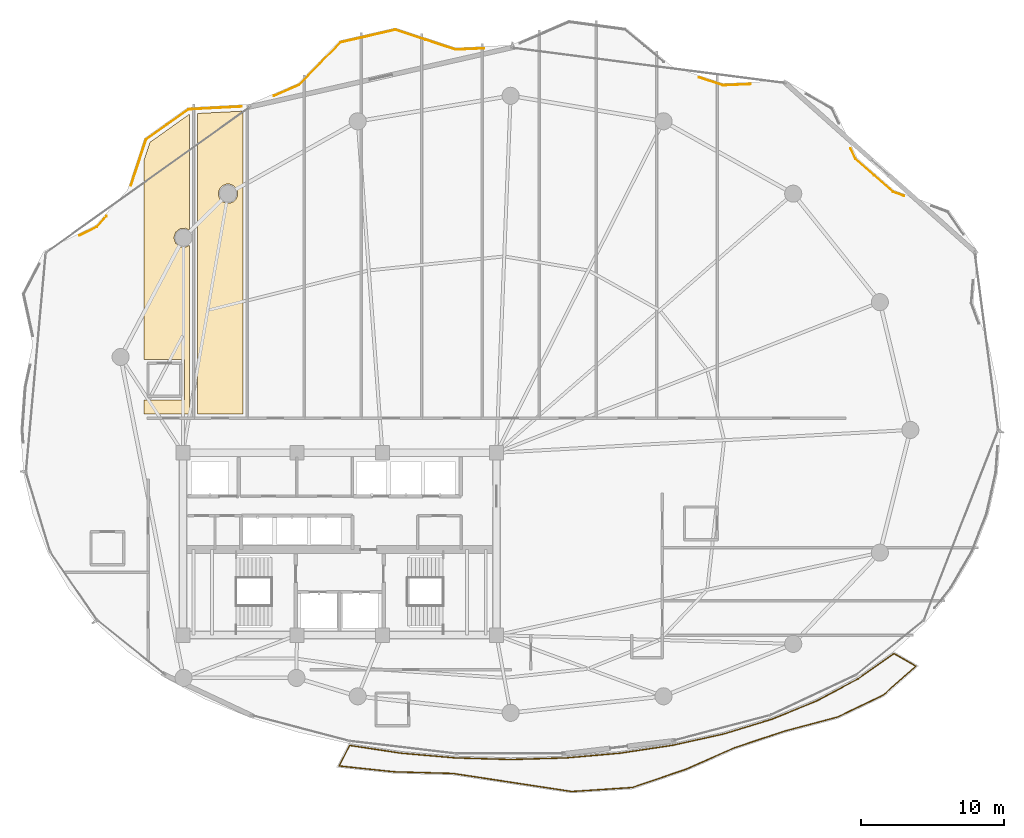
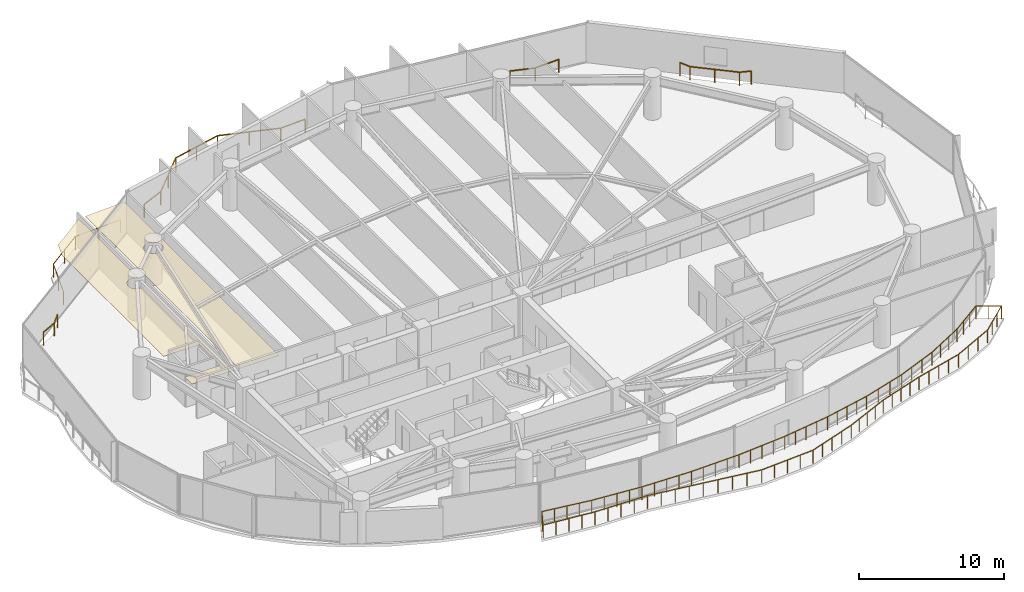
# One storey, part 32 of 33: 6 railings, 2 coverings.
"""IFC4 building model written with IfcOpenShell, lengths in metres."""

from ifc_helpers import new_model, si_unit, direction, frame, origin, origin_2d, place, context, subcontext, project, spatial, polyline, rectangle, outline, extrude, material, layer, layer_set, type_object, element, save


model = new_model("IFC4")

# Units and contexts
model_context = context("Model", 3, precision=1e-05, world=origin(), true_north=direction((0.0, 1.0)))
body_context = subcontext(model_context, "Body", "Model", "MODEL_VIEW")
ifc_project = project(units=[si_unit("LENGTHUNIT", "METRE"), si_unit("AREAUNIT", "SQUARE_METRE"), si_unit("VOLUMEUNIT", "CUBIC_METRE"), si_unit("PLANEANGLEUNIT", "RADIAN"), si_unit("MASSUNIT", "GRAM", prefix="KILO")], contexts=[model_context])

# Site, building, storey
site_placement = place(None, origin())
site = spatial("IfcSite", under=ifc_project, at=site_placement, CompositionType="ELEMENT")
building_placement = place(site_placement, origin())
building = spatial("IfcBuilding", under=site, at=building_placement, Name="Kazevale Care Tower and Concert Hall", CompositionType="ELEMENT")
storey_placement = place(building_placement, frame((0.0, 0.0, 145.800048828125)))
storey = spatial("IfcBuildingStorey", under=building, at=storey_placement, Name="L38", CompositionType="ELEMENT", Elevation=145.800048828125)

# Coverings
ifc_material_1 = material(Name="Acoustic Plaster and Hinoki Wood", Category="wood")
ifc_layer = layer(ifc_material_1, 0.0400390625)
ifc_layer_set = layer_set([ifc_layer], Name="Acoustic Plaster and Hinoki Wood")
covering_type = type_object("IfcCoveringType", Name="Acoustic Perforated Wood-Gypsum Ceiling", PredefinedType="CEILING", material=ifc_layer_set)
covering_1_placement = place(storey_placement, frame((0.0, 0.0, 2.7099609375)))
element("IfcCovering", 1, at=covering_1_placement, inside=storey, type_object=covering_type, Name="clg:L38:1", PredefinedType="CEILING", context=body_context, shape_type="SweptSolid", body=[
    extrude(outline(polyline([(22.1298828125, 40.094970703125), (22.1298828125, 42.955078125), (19.280029296875, 42.955078125), (19.280029296875, 56.943115234375), (19.68701171875, 58.18408203125), (22.469970703125, 60.1650390625), (22.469970703125, 52.02099609375), (22.18310546875, 52.156982421875), (21.7900390625, 52.117919921875), (21.485107421875, 51.867919921875), (21.3701171875, 51.489990234375), (21.485107421875, 51.112060546875), (21.7900390625, 50.862060546875), (22.18310546875, 50.822998046875), (22.469970703125, 50.958984375), (22.469970703125, 39.10498046875), (19.280029296875, 39.10498046875), (19.280029296875, 40.094970703125), (22.1298828125, 40.094970703125)])), origin(), (0.0, 0.0, 1.0), 0.0400390625),
])
covering_2_placement = place(storey_placement, frame((0.0, 0.0, 2.7099609375)))
element("IfcCovering", 2, at=covering_2_placement, inside=storey, type_object=covering_type, Name="clg:L38:2", PredefinedType="CEILING", context=body_context, shape_type="SweptSolid", body=[
    extrude(outline(polyline([(23.030029296875, 60.2099609375), (26.219970703125, 60.3759765625), (26.219970703125, 39.10498046875), (23.030029296875, 39.10498046875), (23.030029296875, 60.2099609375)]), holes=[polyline([(25.8369140625, 54.712890625), (25.735107421875, 54.9580078125), (25.548095703125, 55.14501953125), (25.302978515625, 55.2470703125), (25.037109375, 55.2470703125), (24.7919921875, 55.14501953125), (24.60498046875, 54.9580078125), (24.5029296875, 54.712890625), (24.5029296875, 54.447021484375), (24.60498046875, 54.201904296875), (24.7919921875, 54.014892578125), (25.037109375, 53.9130859375), (25.302978515625, 53.9130859375), (25.548095703125, 54.014892578125), (25.735107421875, 54.201904296875), (25.8369140625, 54.447021484375), (25.8369140625, 54.712890625)])]), origin(), (0.0, 0.0, 1.0), 0.0400390625),
])

# Railings
ifc_material_2 = material(Name="Anodised Bronze Aluminium and Laminated Glass", Category="aluminium")
railing_type = type_object("IfcRailingType", Name="Balcony and Terrace Balustrade 1120", PredefinedType="BALUSTRADE", material=ifc_material_2)
railing_1_placement = place(storey_placement, frame((14.743896484375, 51.64599609375, 0.0)))
element("IfcRailing", 3, at=railing_1_placement, inside=storey, type_object=railing_type, Name="rail:L38:perim:3", PredefinedType="BALUSTRADE", context=body_context, shape_type="SweptSolid", body=[
    extrude(rectangle(XDim=0.048095703125, YDim=0.048095703125, at=origin_2d()), frame((0.0, 0.0, 1.09619140625), z_axis=(0.895181342234, 0.445702102885, 0.0), x_axis=(-0.445702102885, 0.895181342234, 0.0)), (0.0, 0.0, 1.0), 1.357421875),
    extrude(rectangle(XDim=0.048095703125, YDim=0.048095703125, at=origin_2d()), frame((1.215087890625, 0.60498046875, 1.09619140625), z_axis=(0.670216930837, 0.742165254926, 0.0), x_axis=(-0.742165254926, 0.670216930837, 0.0)), (0.0, 0.0, 1.0), 1.0009765625),
    extrude(rectangle(XDim=0.0419921875, YDim=0.0419921875, at=origin_2d()), origin(), (0.0, 0.0, 1.0), 1.072021484375),
    extrude(rectangle(XDim=0.0419921875, YDim=0.0419921875, at=origin_2d()), frame((1.215087890625, 0.60498046875, 0.0)), (0.0, 0.0, 1.0), 1.072021484375),
    extrude(rectangle(XDim=0.0419921875, YDim=0.0419921875, at=origin_2d()), frame((1.885986328125, 1.347900390625, 0.0)), (0.0, 0.0, 1.0), 1.072021484375),
])
railing_2_placement = place(storey_placement, frame((18.361083984375, 55.1640625, 0.0)))
element("IfcRailing", 4, at=railing_2_placement, inside=storey, type_object=railing_type, Name="rail:L38:perim:4", PredefinedType="BALUSTRADE", context=body_context, shape_type="SweptSolid", body=[
    extrude(rectangle(XDim=0.048095703125, YDim=0.048095703125, at=origin_2d()), frame((0.0, 0.0, 1.09619140625), z_axis=(0.31116334977, 0.95035644353, 0.0), x_axis=(-0.95035644353, 0.31116334977, 0.0)), (0.0, 0.0, 1.0), 3.38720703125),
    extrude(rectangle(XDim=0.048095703125, YDim=0.048095703125, at=origin_2d()), frame((1.053955078125, 3.218994140625, 1.09619140625), z_axis=(0.81472815081, 0.579843116953, 0.0), x_axis=(-0.579843116953, 0.81472815081, 0.0)), (0.0, 0.0, 1.0), 3.64404296875),
    extrude(rectangle(XDim=0.048095703125, YDim=0.048095703125, at=origin_2d()), frame((4.02294921875, 5.33203125, 1.09619140625), z_axis=(0.998638441981, 0.052165718614, 0.0), x_axis=(-0.052165718614, 0.998638441981, 0.0)), (0.0, 0.0, 1.0), 3.716064453125),
    extrude(rectangle(XDim=0.0419921875, YDim=0.0419921875, at=origin_2d()), origin(), (0.0, 0.0, 1.0), 1.072021484375),
    extrude(rectangle(XDim=0.0419921875, YDim=0.0419921875, at=origin_2d()), frame((0.52685546875, 1.609375, 0.0)), (0.0, 0.0, 1.0), 1.072021484375),
    extrude(rectangle(XDim=0.0419921875, YDim=0.0419921875, at=origin_2d()), frame((1.053955078125, 3.218994140625, 0.0)), (0.0, 0.0, 1.0), 1.072021484375),
    extrude(rectangle(XDim=0.0419921875, YDim=0.0419921875, at=origin_2d()), frame((2.53857421875, 4.275390625, 0.0)), (0.0, 0.0, 1.0), 1.072021484375),
    extrude(rectangle(XDim=0.0419921875, YDim=0.0419921875, at=origin_2d()), frame((4.02294921875, 5.33203125, 0.0)), (0.0, 0.0, 1.0), 1.072021484375),
    extrude(rectangle(XDim=0.0419921875, YDim=0.0419921875, at=origin_2d()), frame((5.87841796875, 5.428955078125, 0.0)), (0.0, 0.0, 1.0), 1.072021484375),
    extrude(rectangle(XDim=0.0419921875, YDim=0.0419921875, at=origin_2d()), frame((7.73388671875, 5.52587890625, 0.0)), (0.0, 0.0, 1.0), 1.072021484375),
])
railing_3_placement = place(storey_placement, frame((28.406982421875, 61.449951171875, 0.0)))
element("IfcRailing", 5, at=railing_3_placement, inside=storey, type_object=railing_type, Name="rail:L38:perim:5", PredefinedType="BALUSTRADE", context=body_context, shape_type="SweptSolid", body=[
    extrude(rectangle(XDim=0.048095703125, YDim=0.048095703125, at=origin_2d()), frame((0.0, 0.0, 1.09619140625), z_axis=(0.917259366497, 0.398290414866, 0.0), x_axis=(-0.398290414866, 0.917259366497, 0.0)), (0.0, 0.0, 1.0), 1.90576171875),
    extrude(rectangle(XDim=0.048095703125, YDim=0.048095703125, at=origin_2d()), frame((1.748046875, 0.759033203125, 1.09619140625), z_axis=(0.697682289334, 0.716407302551, 0.0), x_axis=(-0.716407302551, 0.697682289334, 0.0)), (0.0, 0.0, 1.0), 4.172119140625),
    extrude(rectangle(XDim=0.048095703125, YDim=0.048095703125, at=origin_2d()), frame((4.658935546875, 3.748046875, 1.09619140625), z_axis=(0.974660011093, 0.223691445471, 0.0), x_axis=(-0.223691445471, 0.974660011093, 0.0)), (0.0, 0.0, 1.0), 3.93896484375),
    extrude(rectangle(XDim=0.048095703125, YDim=0.048095703125, at=origin_2d()), frame((8.498046875, 4.629150390625, 1.09619140625), z_axis=(0.949878818656, -0.31261834538, 0.0), x_axis=(0.31261834538, 0.949878818656, 0.0)), (0.0, 0.0, 1.0), 4.44677734375),
    extrude(rectangle(XDim=0.048095703125, YDim=0.048095703125, at=origin_2d()), frame((12.721923828125, 3.239013671875, 1.09619140625), z_axis=(0.999018758403, 0.044289054622, 0.0), x_axis=(-0.044289054622, 0.999018758403, 0.0)), (0.0, 0.0, 1.0), 1.989990234375),
    extrude(rectangle(XDim=0.0419921875, YDim=0.0419921875, at=origin_2d()), origin(), (0.0, 0.0, 1.0), 1.072021484375),
    extrude(rectangle(XDim=0.0419921875, YDim=0.0419921875, at=origin_2d()), frame((1.748046875, 0.759033203125, 0.0)), (0.0, 0.0, 1.0), 1.072021484375),
    extrude(rectangle(XDim=0.0419921875, YDim=0.0419921875, at=origin_2d()), frame((3.20361328125, 2.25341796875, 0.0)), (0.0, 0.0, 1.0), 1.072021484375),
    extrude(rectangle(XDim=0.0419921875, YDim=0.0419921875, at=origin_2d()), frame((4.658935546875, 3.748046875, 0.0)), (0.0, 0.0, 1.0), 1.072021484375),
    extrude(rectangle(XDim=0.0419921875, YDim=0.0419921875, at=origin_2d()), frame((6.57861328125, 4.1884765625, 0.0)), (0.0, 0.0, 1.0), 1.072021484375),
    extrude(rectangle(XDim=0.0419921875, YDim=0.0419921875, at=origin_2d()), frame((8.498046875, 4.629150390625, 0.0)), (0.0, 0.0, 1.0), 1.072021484375),
    extrude(rectangle(XDim=0.0419921875, YDim=0.0419921875, at=origin_2d()), frame((10.60986328125, 3.93408203125, 0.0)), (0.0, 0.0, 1.0), 1.072021484375),
    extrude(rectangle(XDim=0.0419921875, YDim=0.0419921875, at=origin_2d()), frame((12.721923828125, 3.239013671875, 0.0)), (0.0, 0.0, 1.0), 1.072021484375),
    extrude(rectangle(XDim=0.0419921875, YDim=0.0419921875, at=origin_2d()), frame((14.7099609375, 3.3271484375, 0.0)), (0.0, 0.0, 1.0), 1.072021484375),
])
railing_4_placement = place(storey_placement, frame((58.218017578125, 62.73388671875, 0.0)))
element("IfcRailing", 6, at=railing_4_placement, inside=storey, type_object=railing_type, Name="rail:L38:perim:7", PredefinedType="BALUSTRADE", context=body_context, shape_type="SweptSolid", body=[
    extrude(rectangle(XDim=0.048095703125, YDim=0.048095703125, at=origin_2d()), frame((0.0, 0.0, 1.09619140625), z_axis=(0.950995651037, -0.309204255645, 0.0), x_axis=(0.309204255645, 0.950995651037, 0.0)), (0.0, 0.0, 1.0), 1.77490234375),
    extrude(rectangle(XDim=0.048095703125, YDim=0.048095703125, at=origin_2d()), frame((1.68798828125, -0.548828125, 1.09619140625), z_axis=(0.99909423761, 0.042552372143, 0.0), x_axis=(-0.042552372143, 0.99909423761, 0.0)), (0.0, 0.0, 1.0), 1.927734375),
    extrude(rectangle(XDim=0.0419921875, YDim=0.0419921875, at=origin_2d()), origin(), (0.0, 0.0, 1.0), 1.072021484375),
    extrude(rectangle(XDim=0.0419921875, YDim=0.0419921875, at=origin_2d()), frame((1.68798828125, -0.548828125, 0.0)), (0.0, 0.0, 1.0), 1.072021484375),
    extrude(rectangle(XDim=0.0419921875, YDim=0.0419921875, at=origin_2d()), frame((3.614013671875, -0.466796875, 0.0)), (0.0, 0.0, 1.0), 1.072021484375),
])
railing_5_placement = place(storey_placement, frame((68.85693359375, 57.760009765625, 0.0)))
element("IfcRailing", 7, at=railing_5_placement, inside=storey, type_object=railing_type, Name="rail:L38:perim:9", PredefinedType="BALUSTRADE", context=body_context, shape_type="SweptSolid", body=[
    extrude(rectangle(XDim=0.048095703125, YDim=0.048095703125, at=origin_2d()), frame((0.0, 0.0, 1.09619140625), z_axis=(0.42407317981, -0.905627924794, 0.0), x_axis=(0.905627924794, 0.42407317981, 0.0)), (0.0, 0.0, 1.0), 0.83251953125),
    extrude(rectangle(XDim=0.048095703125, YDim=0.048095703125, at=origin_2d()), frame((0.35302734375, -0.75390625, 1.09619140625), z_axis=(0.751344255412, -0.65991045594, 0.0), x_axis=(0.65991045594, 0.751344255412, 0.0)), (0.0, 0.0, 1.0), 3.4765625),
    extrude(rectangle(XDim=0.048095703125, YDim=0.048095703125, at=origin_2d()), frame((2.965087890625, -3.048095703125, 1.09619140625), z_axis=(0.938403352722, -0.345541817439, 0.0), x_axis=(0.345541817439, 0.938403352722, 0.0)), (0.0, 0.0, 1.0), 0.830078125),
    extrude(rectangle(XDim=0.0419921875, YDim=0.0419921875, at=origin_2d()), origin(), (0.0, 0.0, 1.0), 1.072021484375),
    extrude(rectangle(XDim=0.0419921875, YDim=0.0419921875, at=origin_2d()), frame((0.35302734375, -0.75390625, 0.0)), (0.0, 0.0, 1.0), 1.072021484375),
    extrude(rectangle(XDim=0.0419921875, YDim=0.0419921875, at=origin_2d()), frame((1.6591796875, -1.90087890625, 0.0)), (0.0, 0.0, 1.0), 1.072021484375),
    extrude(rectangle(XDim=0.0419921875, YDim=0.0419921875, at=origin_2d()), frame((2.965087890625, -3.048095703125, 0.0)), (0.0, 0.0, 1.0), 1.072021484375),
    extrude(rectangle(XDim=0.0419921875, YDim=0.0419921875, at=origin_2d()), frame((3.744140625, -3.3349609375, 0.0)), (0.0, 0.0, 1.0), 1.072021484375),
])
railing_6_placement = place(storey_placement, frame((33.702880859375, 15.861083984375, 0.0)))
element("IfcRailing", 8, at=railing_6_placement, inside=storey, type_object=railing_type, Name="rail:L38:balcony", PredefinedType="BALUSTRADE", context=body_context, shape_type="SweptSolid", body=[
    extrude(rectangle(XDim=0.048095703125, YDim=0.048095703125, at=origin_2d()), frame((0.0, 0.0, 1.09619140625), z_axis=(0.988898738041, -0.148591002089, 0.0), x_axis=(0.148591002089, 0.988898738041, 0.0)), (0.0, 0.0, 1.0), 3.6689453125),
    extrude(rectangle(XDim=0.048095703125, YDim=0.048095703125, at=origin_2d()), frame((3.628173828125, -0.545166015625, 1.09619140625), z_axis=(0.996251838222, -0.086500143585, 0.0), x_axis=(0.086500143585, 0.996251838222, 0.0)), (0.0, 0.0, 1.0), 3.824462890625),
    extrude(rectangle(XDim=0.048095703125, YDim=0.048095703125, at=origin_2d()), frame((7.438232421875, -0.8759765625, 1.09619140625), z_axis=(0.999593168995, -0.028521860004, 0.0), x_axis=(0.028521860004, 0.999593168995, 0.0)), (0.0, 0.0, 1.0), 3.8603515625),
    extrude(rectangle(XDim=0.048095703125, YDim=0.048095703125, at=origin_2d()), frame((11.297119140625, -0.986083984375, 1.09619140625), z_axis=(0.999593168995, 0.028521860004, 0.0), x_axis=(-0.028521860004, 0.999593168995, 0.0)), (0.0, 0.0, 1.0), 3.8603515625),
    extrude(rectangle(XDim=0.048095703125, YDim=0.048095703125, at=origin_2d()), frame((15.156005859375, -0.8759765625, 1.09619140625), z_axis=(0.996251838222, 0.086500143585, 0.0), x_axis=(-0.086500143585, 0.996251838222, 0.0)), (0.0, 0.0, 1.0), 3.824462890625),
    extrude(rectangle(XDim=0.048095703125, YDim=0.048095703125, at=origin_2d()), frame((18.966064453125, -0.545166015625, 1.09619140625), z_axis=(0.988903437953, 0.148559719995, 0.0), x_axis=(-0.148559719995, 0.988903437953, 0.0)), (0.0, 0.0, 1.0), 3.7568359375),
    extrude(rectangle(XDim=0.048095703125, YDim=0.048095703125, at=origin_2d()), frame((22.68115234375, 0.012939453125, 1.09619140625), z_axis=(0.9762591871, 0.216605631512, 0.0), x_axis=(-0.216605631512, 0.9762591871, 0.0)), (0.0, 0.0, 1.0), 3.660888671875),
    extrude(rectangle(XDim=0.048095703125, YDim=0.048095703125, at=origin_2d()), frame((26.255126953125, 0.805908203125, 1.09619140625), z_axis=(0.956153868694, 0.292864780028, 0.0), x_axis=(-0.292864780028, 0.956153868694, 0.0)), (0.0, 0.0, 1.0), 3.541259765625),
    extrude(rectangle(XDim=0.048095703125, YDim=0.048095703125, at=origin_2d()), frame((29.64111328125, 1.843017578125, 1.09619140625), z_axis=(0.925821569017, 0.377960874089, 0.0), x_axis=(-0.377960874089, 0.925821569017, 0.0)), (0.0, 0.0, 1.0), 3.409912109375),
    extrude(rectangle(XDim=0.048095703125, YDim=0.048095703125, at=origin_2d()), frame((32.798095703125, 3.1318359375, 1.09619140625), z_axis=(0.881173131857, 0.472793730598, 0.0), x_axis=(-0.472793730598, 0.881173131857, 0.0)), (0.0, 0.0, 1.0), 3.278564453125),
    extrude(rectangle(XDim=0.048095703125, YDim=0.048095703125, at=origin_2d()), frame((35.68701171875, 4.681884765625, 1.09619140625), z_axis=(0.818641866863, 0.574304356435, 0.0), x_axis=(-0.574304356435, 0.818641866863, 0.0)), (0.0, 0.0, 1.0), 3.073486328125),
    extrude(rectangle(XDim=0.048095703125, YDim=0.048095703125, at=origin_2d()), frame((38.203125, 6.447021484375, 1.09619140625), z_axis=(0.865751711592, -0.500473749437, 0.0), x_axis=(0.500473749437, 0.865751711592, 0.0)), (0.0, 0.0, 1.0), 1.762451171875),
    extrude(rectangle(XDim=0.048095703125, YDim=0.048095703125, at=origin_2d()), frame((39.72900390625, 5.56494140625, 1.09619140625), z_axis=(-0.747307756324, -0.664478078899, 0.0), x_axis=(0.664478078899, -0.747307756324, 0.0)), (0.0, 0.0, 1.0), 3.05078125),
    extrude(rectangle(XDim=0.048095703125, YDim=0.048095703125, at=origin_2d()), frame((37.44921875, 3.537841796875, 1.09619140625), z_axis=(-0.901033501171, -0.433749501174, 0.0), x_axis=(0.433749501174, -0.901033501171, 0.0)), (0.0, 0.0, 1.0), 3.552734375),
    extrude(rectangle(XDim=0.048095703125, YDim=0.048095703125, at=origin_2d()), frame((34.248046875, 1.996826171875, 1.09619140625), z_axis=(-0.966339213912, -0.257271303599, 0.0), x_axis=(0.257271303599, -0.966339213912, 0.0)), (0.0, 0.0, 1.0), 3.84423828125),
    extrude(rectangle(XDim=0.048095703125, YDim=0.048095703125, at=origin_2d()), frame((30.533203125, 1.0078125, 1.09619140625), z_axis=(-0.949157301004, -0.314802188605, 0.0), x_axis=(0.314802188605, -0.949157301004, 0.0)), (0.0, 0.0, 1.0), 3.7001953125),
    extrude(rectangle(XDim=0.048095703125, YDim=0.048095703125, at=origin_2d()), frame((27.021240234375, -0.156982421875, 1.09619140625), z_axis=(-0.914312058307, -0.405010444353, 0.0), x_axis=(0.405010444353, -0.914312058307, 0.0)), (0.0, 0.0, 1.0), 3.736083984375),
    extrude(rectangle(XDim=0.048095703125, YDim=0.048095703125, at=origin_2d()), frame((23.605224609375, -1.670166015625, 1.09619140625), z_axis=(-0.946968393013, -0.321326722566, 0.0), x_axis=(0.321326722566, -0.946968393013, 0.0)), (0.0, 0.0, 1.0), 3.98974609375),
    extrude(rectangle(XDim=0.048095703125, YDim=0.048095703125, at=origin_2d()), frame((19.8271484375, -2.9521484375, 1.09619140625), z_axis=(-0.997822153455, -0.065961731889, 0.0), x_axis=(0.065961731889, -0.997822153455, 0.0)), (0.0, 0.0, 1.0), 4.245361328125),
    extrude(rectangle(XDim=0.048095703125, YDim=0.048095703125, at=origin_2d()), frame((15.591064453125, -3.232177734375, 1.09619140625), z_axis=(-0.988670613855, 0.150101356757, 0.0), x_axis=(-0.150101356757, -0.988670613855, 0.0)), (0.0, 0.0, 1.0), 4.324951171875),
    extrude(rectangle(XDim=0.048095703125, YDim=0.048095703125, at=origin_2d()), frame((11.315185546875, -2.5830078125, 1.09619140625), z_axis=(-0.988706215228, 0.149866673978, 0.0), x_axis=(-0.149866673978, -0.988706215228, 0.0)), (0.0, 0.0, 1.0), 4.129638671875),
    extrude(rectangle(XDim=0.048095703125, YDim=0.048095703125, at=origin_2d()), frame((7.232177734375, -1.964111328125, 1.09619140625), z_axis=(-0.999614924432, 0.027748925264, 0.0), x_axis=(-0.027748925264, -0.999614924432, 0.0)), (0.0, 0.0, 1.0), 4.108642578125),
    extrude(rectangle(XDim=0.048095703125, YDim=0.048095703125, at=origin_2d()), frame((3.125, -1.85009765625, 1.09619140625), z_axis=(-0.994398321301, 0.105697580829, 0.0), x_axis=(-0.105697580829, -0.994398321301, 0.0)), (0.0, 0.0, 1.0), 3.8896484375),
    extrude(rectangle(XDim=0.048095703125, YDim=0.048095703125, at=origin_2d()), frame((-0.742919921875, -1.43896484375, 1.09619140625), z_axis=(0.458754280802, 0.888563171556, 0.0), x_axis=(-0.888563171556, 0.458754280802, 0.0)), (0.0, 0.0, 1.0), 1.619384765625),
    extrude(rectangle(XDim=0.0419921875, YDim=0.0419921875, at=origin_2d()), origin(), (0.0, 0.0, 1.0), 1.072021484375),
    extrude(rectangle(XDim=0.0419921875, YDim=0.0419921875, at=origin_2d()), frame((0.906982421875, -0.13623046875, 0.0)), (0.0, 0.0, 1.0), 1.072021484375),
    extrude(rectangle(XDim=0.0419921875, YDim=0.0419921875, at=origin_2d()), frame((1.81396484375, -0.2724609375, 0.0)), (0.0, 0.0, 1.0), 1.072021484375),
    extrude(rectangle(XDim=0.0419921875, YDim=0.0419921875, at=origin_2d()), frame((2.72119140625, -0.408935546875, 0.0)), (0.0, 0.0, 1.0), 1.072021484375),
    extrude(rectangle(XDim=0.0419921875, YDim=0.0419921875, at=origin_2d()), frame((3.628173828125, -0.545166015625, 0.0)), (0.0, 0.0, 1.0), 1.072021484375),
    extrude(rectangle(XDim=0.0419921875, YDim=0.0419921875, at=origin_2d()), frame((4.58056640625, -0.6279296875, 0.0)), (0.0, 0.0, 1.0), 1.072021484375),
    extrude(rectangle(XDim=0.0419921875, YDim=0.0419921875, at=origin_2d()), frame((5.533203125, -0.71044921875, 0.0)), (0.0, 0.0, 1.0), 1.072021484375),
    extrude(rectangle(XDim=0.0419921875, YDim=0.0419921875, at=origin_2d()), frame((6.48583984375, -0.793212890625, 0.0)), (0.0, 0.0, 1.0), 1.072021484375),
    extrude(rectangle(XDim=0.0419921875, YDim=0.0419921875, at=origin_2d()), frame((7.438232421875, -0.8759765625, 0.0)), (0.0, 0.0, 1.0), 1.072021484375),
    extrude(rectangle(XDim=0.0419921875, YDim=0.0419921875, at=origin_2d()), frame((8.40283203125, -0.903564453125, 0.0)), (0.0, 0.0, 1.0), 1.072021484375),
    extrude(rectangle(XDim=0.0419921875, YDim=0.0419921875, at=origin_2d()), frame((9.36767578125, -0.93115234375, 0.0)), (0.0, 0.0, 1.0), 1.072021484375),
    extrude(rectangle(XDim=0.0419921875, YDim=0.0419921875, at=origin_2d()), frame((10.33251953125, -0.95849609375, 0.0)), (0.0, 0.0, 1.0), 1.072021484375),
    extrude(rectangle(XDim=0.0419921875, YDim=0.0419921875, at=origin_2d()), frame((11.297119140625, -0.986083984375, 0.0)), (0.0, 0.0, 1.0), 1.072021484375),
    extrude(rectangle(XDim=0.0419921875, YDim=0.0419921875, at=origin_2d()), frame((12.26171875, -0.95849609375, 0.0)), (0.0, 0.0, 1.0), 1.072021484375),
    extrude(rectangle(XDim=0.0419921875, YDim=0.0419921875, at=origin_2d()), frame((13.2265625, -0.93115234375, 0.0)), (0.0, 0.0, 1.0), 1.072021484375),
    extrude(rectangle(XDim=0.0419921875, YDim=0.0419921875, at=origin_2d()), frame((14.19140625, -0.903564453125, 0.0)), (0.0, 0.0, 1.0), 1.072021484375),
    extrude(rectangle(XDim=0.0419921875, YDim=0.0419921875, at=origin_2d()), frame((15.156005859375, -0.8759765625, 0.0)), (0.0, 0.0, 1.0), 1.072021484375),
    extrude(rectangle(XDim=0.0419921875, YDim=0.0419921875, at=origin_2d()), frame((16.1083984375, -0.793212890625, 0.0)), (0.0, 0.0, 1.0), 1.072021484375),
    extrude(rectangle(XDim=0.0419921875, YDim=0.0419921875, at=origin_2d()), frame((17.06103515625, -0.71044921875, 0.0)), (0.0, 0.0, 1.0), 1.072021484375),
    extrude(rectangle(XDim=0.0419921875, YDim=0.0419921875, at=origin_2d()), frame((18.013671875, -0.6279296875, 0.0)), (0.0, 0.0, 1.0), 1.072021484375),
    extrude(rectangle(XDim=0.0419921875, YDim=0.0419921875, at=origin_2d()), frame((18.966064453125, -0.545166015625, 0.0)), (0.0, 0.0, 1.0), 1.072021484375),
    extrude(rectangle(XDim=0.0419921875, YDim=0.0419921875, at=origin_2d()), frame((19.894775390625, -0.40576171875, 0.0)), (0.0, 0.0, 1.0), 1.072021484375),
    extrude(rectangle(XDim=0.0419921875, YDim=0.0419921875, at=origin_2d()), frame((20.82373046875, -0.26611328125, 0.0)), (0.0, 0.0, 1.0), 1.072021484375),
    extrude(rectangle(XDim=0.0419921875, YDim=0.0419921875, at=origin_2d()), frame((21.75244140625, -0.12646484375, 0.0)), (0.0, 0.0, 1.0), 1.072021484375),
    extrude(rectangle(XDim=0.0419921875, YDim=0.0419921875, at=origin_2d()), frame((22.68115234375, 0.012939453125, 0.0)), (0.0, 0.0, 1.0), 1.072021484375),
    extrude(rectangle(XDim=0.0419921875, YDim=0.0419921875, at=origin_2d()), frame((23.57470703125, 0.211181640625, 0.0)), (0.0, 0.0, 1.0), 1.072021484375),
    extrude(rectangle(XDim=0.0419921875, YDim=0.0419921875, at=origin_2d()), frame((24.46826171875, 0.409423828125, 0.0)), (0.0, 0.0, 1.0), 1.072021484375),
    extrude(rectangle(XDim=0.0419921875, YDim=0.0419921875, at=origin_2d()), frame((25.361572265625, 0.607666015625, 0.0)), (0.0, 0.0, 1.0), 1.072021484375),
    extrude(rectangle(XDim=0.0419921875, YDim=0.0419921875, at=origin_2d()), frame((26.255126953125, 0.805908203125, 0.0)), (0.0, 0.0, 1.0), 1.072021484375),
    extrude(rectangle(XDim=0.0419921875, YDim=0.0419921875, at=origin_2d()), frame((27.3837890625, 1.151611328125, 0.0)), (0.0, 0.0, 1.0), 1.072021484375),
    extrude(rectangle(XDim=0.0419921875, YDim=0.0419921875, at=origin_2d()), frame((28.512451171875, 1.497314453125, 0.0)), (0.0, 0.0, 1.0), 1.072021484375),
    extrude(rectangle(XDim=0.0419921875, YDim=0.0419921875, at=origin_2d()), frame((29.64111328125, 1.843017578125, 0.0)), (0.0, 0.0, 1.0), 1.072021484375),
    extrude(rectangle(XDim=0.0419921875, YDim=0.0419921875, at=origin_2d()), frame((30.693359375, 2.272705078125, 0.0)), (0.0, 0.0, 1.0), 1.072021484375),
    extrude(rectangle(XDim=0.0419921875, YDim=0.0419921875, at=origin_2d()), frame((31.745849609375, 2.7021484375, 0.0)), (0.0, 0.0, 1.0), 1.072021484375),
    extrude(rectangle(XDim=0.0419921875, YDim=0.0419921875, at=origin_2d()), frame((32.798095703125, 3.1318359375, 0.0)), (0.0, 0.0, 1.0), 1.072021484375),
    extrude(rectangle(XDim=0.0419921875, YDim=0.0419921875, at=origin_2d()), frame((33.760986328125, 3.6484375, 0.0)), (0.0, 0.0, 1.0), 1.072021484375),
    extrude(rectangle(XDim=0.0419921875, YDim=0.0419921875, at=origin_2d()), frame((34.72412109375, 4.165283203125, 0.0)), (0.0, 0.0, 1.0), 1.072021484375),
    extrude(rectangle(XDim=0.0419921875, YDim=0.0419921875, at=origin_2d()), frame((35.68701171875, 4.681884765625, 0.0)), (0.0, 0.0, 1.0), 1.072021484375),
    extrude(rectangle(XDim=0.0419921875, YDim=0.0419921875, at=origin_2d()), frame((36.525634765625, 5.270263671875, 0.0)), (0.0, 0.0, 1.0), 1.072021484375),
    extrude(rectangle(XDim=0.0419921875, YDim=0.0419921875, at=origin_2d()), frame((37.364501953125, 5.858642578125, 0.0)), (0.0, 0.0, 1.0), 1.072021484375),
    extrude(rectangle(XDim=0.0419921875, YDim=0.0419921875, at=origin_2d()), frame((38.203125, 6.447021484375, 0.0)), (0.0, 0.0, 1.0), 1.072021484375),
    extrude(rectangle(XDim=0.0419921875, YDim=0.0419921875, at=origin_2d()), frame((38.966064453125, 6.005859375, 0.0)), (0.0, 0.0, 1.0), 1.072021484375),
    extrude(rectangle(XDim=0.0419921875, YDim=0.0419921875, at=origin_2d()), frame((39.72900390625, 5.56494140625, 0.0)), (0.0, 0.0, 1.0), 1.072021484375),
    extrude(rectangle(XDim=0.0419921875, YDim=0.0419921875, at=origin_2d()), frame((38.968994140625, 4.88916015625, 0.0)), (0.0, 0.0, 1.0), 1.072021484375),
    extrude(rectangle(XDim=0.0419921875, YDim=0.0419921875, at=origin_2d()), frame((38.209228515625, 4.213623046875, 0.0)), (0.0, 0.0, 1.0), 1.072021484375),
    extrude(rectangle(XDim=0.0419921875, YDim=0.0419921875, at=origin_2d()), frame((37.44921875, 3.537841796875, 0.0)), (0.0, 0.0, 1.0), 1.072021484375),
    extrude(rectangle(XDim=0.0419921875, YDim=0.0419921875, at=origin_2d()), frame((36.382080078125, 3.024169921875, 0.0)), (0.0, 0.0, 1.0), 1.072021484375),
    extrude(rectangle(XDim=0.0419921875, YDim=0.0419921875, at=origin_2d()), frame((35.315185546875, 2.510498046875, 0.0)), (0.0, 0.0, 1.0), 1.072021484375),
    extrude(rectangle(XDim=0.0419921875, YDim=0.0419921875, at=origin_2d()), frame((34.248046875, 1.996826171875, 0.0)), (0.0, 0.0, 1.0), 1.072021484375),
    extrude(rectangle(XDim=0.0419921875, YDim=0.0419921875, at=origin_2d()), frame((33.3193359375, 1.74951171875, 0.0)), (0.0, 0.0, 1.0), 1.072021484375),
    extrude(rectangle(XDim=0.0419921875, YDim=0.0419921875, at=origin_2d()), frame((32.390625, 1.50244140625, 0.0)), (0.0, 0.0, 1.0), 1.072021484375),
    extrude(rectangle(XDim=0.0419921875, YDim=0.0419921875, at=origin_2d()), frame((31.4619140625, 1.255126953125, 0.0)), (0.0, 0.0, 1.0), 1.072021484375),
    extrude(rectangle(XDim=0.0419921875, YDim=0.0419921875, at=origin_2d()), frame((30.533203125, 1.0078125, 0.0)), (0.0, 0.0, 1.0), 1.072021484375),
    extrude(rectangle(XDim=0.0419921875, YDim=0.0419921875, at=origin_2d()), frame((29.6552734375, 0.716552734375, 0.0)), (0.0, 0.0, 1.0), 1.072021484375),
    extrude(rectangle(XDim=0.0419921875, YDim=0.0419921875, at=origin_2d()), frame((28.77734375, 0.42529296875, 0.0)), (0.0, 0.0, 1.0), 1.072021484375),
    extrude(rectangle(XDim=0.0419921875, YDim=0.0419921875, at=origin_2d()), frame((27.899169921875, 0.13427734375, 0.0)), (0.0, 0.0, 1.0), 1.072021484375),
    extrude(rectangle(XDim=0.0419921875, YDim=0.0419921875, at=origin_2d()), frame((27.021240234375, -0.156982421875, 0.0)), (0.0, 0.0, 1.0), 1.072021484375),
    extrude(rectangle(XDim=0.0419921875, YDim=0.0419921875, at=origin_2d()), frame((26.167236328125, -0.53515625, 0.0)), (0.0, 0.0, 1.0), 1.072021484375),
    extrude(rectangle(XDim=0.0419921875, YDim=0.0419921875, at=origin_2d()), frame((25.313232421875, -0.91357421875, 0.0)), (0.0, 0.0, 1.0), 1.072021484375),
    extrude(rectangle(XDim=0.0419921875, YDim=0.0419921875, at=origin_2d()), frame((24.459228515625, -1.2919921875, 0.0)), (0.0, 0.0, 1.0), 1.072021484375),
    extrude(rectangle(XDim=0.0419921875, YDim=0.0419921875, at=origin_2d()), frame((23.605224609375, -1.670166015625, 0.0)), (0.0, 0.0, 1.0), 1.072021484375),
    extrude(rectangle(XDim=0.0419921875, YDim=0.0419921875, at=origin_2d()), frame((22.66064453125, -1.99072265625, 0.0)), (0.0, 0.0, 1.0), 1.072021484375),
    extrude(rectangle(XDim=0.0419921875, YDim=0.0419921875, at=origin_2d()), frame((21.71630859375, -2.31103515625, 0.0)), (0.0, 0.0, 1.0), 1.072021484375),
    extrude(rectangle(XDim=0.0419921875, YDim=0.0419921875, at=origin_2d()), frame((20.771728515625, -2.631591796875, 0.0)), (0.0, 0.0, 1.0), 1.072021484375),
    extrude(rectangle(XDim=0.0419921875, YDim=0.0419921875, at=origin_2d()), frame((19.8271484375, -2.9521484375, 0.0)), (0.0, 0.0, 1.0), 1.072021484375),
    extrude(rectangle(XDim=0.0419921875, YDim=0.0419921875, at=origin_2d()), frame((18.76806640625, -3.022216796875, 0.0)), (0.0, 0.0, 1.0), 1.072021484375),
    extrude(rectangle(XDim=0.0419921875, YDim=0.0419921875, at=origin_2d()), frame((17.708984375, -3.09228515625, 0.0)), (0.0, 0.0, 1.0), 1.072021484375),
    extrude(rectangle(XDim=0.0419921875, YDim=0.0419921875, at=origin_2d()), frame((16.650146484375, -3.162109375, 0.0)), (0.0, 0.0, 1.0), 1.072021484375),
    extrude(rectangle(XDim=0.0419921875, YDim=0.0419921875, at=origin_2d()), frame((15.591064453125, -3.232177734375, 0.0)), (0.0, 0.0, 1.0), 1.072021484375),
    extrude(rectangle(XDim=0.0419921875, YDim=0.0419921875, at=origin_2d()), frame((14.52197265625, -3.06982421875, 0.0)), (0.0, 0.0, 1.0), 1.072021484375),
    extrude(rectangle(XDim=0.0419921875, YDim=0.0419921875, at=origin_2d()), frame((13.453125, -2.90771484375, 0.0)), (0.0, 0.0, 1.0), 1.072021484375),
    extrude(rectangle(XDim=0.0419921875, YDim=0.0419921875, at=origin_2d()), frame((12.38427734375, -2.745361328125, 0.0)), (0.0, 0.0, 1.0), 1.072021484375),
    extrude(rectangle(XDim=0.0419921875, YDim=0.0419921875, at=origin_2d()), frame((11.315185546875, -2.5830078125, 0.0)), (0.0, 0.0, 1.0), 1.072021484375),
    extrude(rectangle(XDim=0.0419921875, YDim=0.0419921875, at=origin_2d()), frame((10.29443359375, -2.42822265625, 0.0)), (0.0, 0.0, 1.0), 1.072021484375),
    extrude(rectangle(XDim=0.0419921875, YDim=0.0419921875, at=origin_2d()), frame((9.273681640625, -2.2734375, 0.0)), (0.0, 0.0, 1.0), 1.072021484375),
    extrude(rectangle(XDim=0.0419921875, YDim=0.0419921875, at=origin_2d()), frame((8.2529296875, -2.118896484375, 0.0)), (0.0, 0.0, 1.0), 1.072021484375),
    extrude(rectangle(XDim=0.0419921875, YDim=0.0419921875, at=origin_2d()), frame((7.232177734375, -1.964111328125, 0.0)), (0.0, 0.0, 1.0), 1.072021484375),
    extrude(rectangle(XDim=0.0419921875, YDim=0.0419921875, at=origin_2d()), frame((6.205322265625, -1.935546875, 0.0)), (0.0, 0.0, 1.0), 1.072021484375),
    extrude(rectangle(XDim=0.0419921875, YDim=0.0419921875, at=origin_2d()), frame((5.1787109375, -1.9072265625, 0.0)), (0.0, 0.0, 1.0), 1.072021484375),
    extrude(rectangle(XDim=0.0419921875, YDim=0.0419921875, at=origin_2d()), frame((4.15185546875, -1.878662109375, 0.0)), (0.0, 0.0, 1.0), 1.072021484375),
    extrude(rectangle(XDim=0.0419921875, YDim=0.0419921875, at=origin_2d()), frame((3.125, -1.85009765625, 0.0)), (0.0, 0.0, 1.0), 1.072021484375),
    extrude(rectangle(XDim=0.0419921875, YDim=0.0419921875, at=origin_2d()), frame((2.157958984375, -1.747314453125, 0.0)), (0.0, 0.0, 1.0), 1.072021484375),
    extrude(rectangle(XDim=0.0419921875, YDim=0.0419921875, at=origin_2d()), frame((1.19091796875, -1.64453125, 0.0)), (0.0, 0.0, 1.0), 1.072021484375),
    extrude(rectangle(XDim=0.0419921875, YDim=0.0419921875, at=origin_2d()), frame((0.22412109375, -1.541748046875, 0.0)), (0.0, 0.0, 1.0), 1.072021484375),
    extrude(rectangle(XDim=0.0419921875, YDim=0.0419921875, at=origin_2d()), frame((-0.742919921875, -1.43896484375, 0.0)), (0.0, 0.0, 1.0), 1.072021484375),
    extrude(rectangle(XDim=0.0419921875, YDim=0.0419921875, at=origin_2d()), frame((-0.37158203125, -0.719482421875, 0.0)), (0.0, 0.0, 1.0), 1.072021484375),
])

save(model, "model.ifc")
